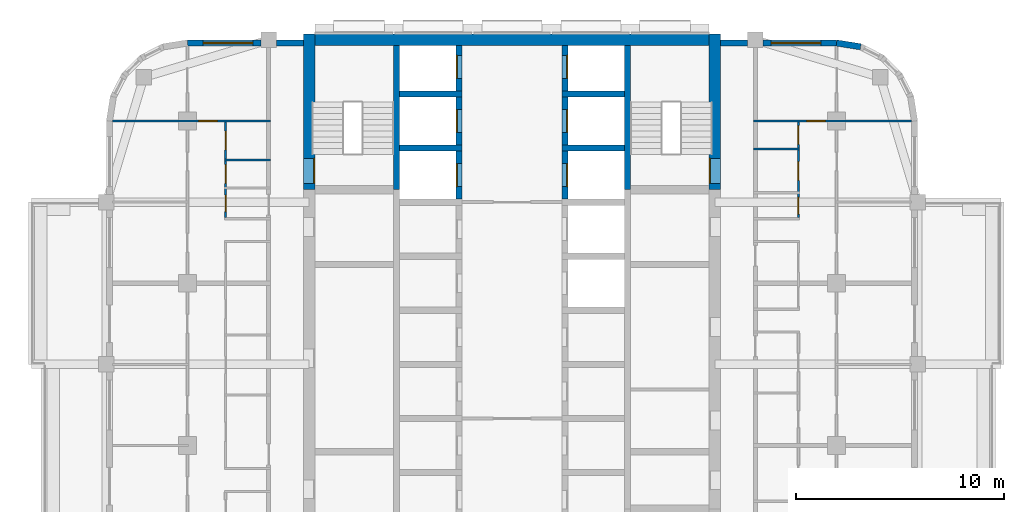
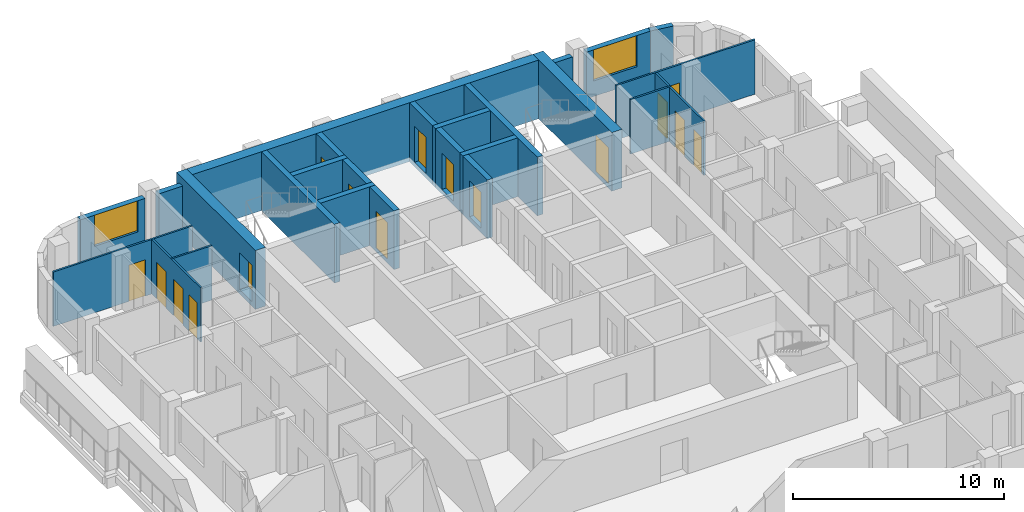
# One storey, part 8 of 13: 26 walls, 16 doors, 2 windows, 18 openings.
"""IFC4 building model written with IfcOpenShell, lengths in metres."""

from ifc_helpers import new_model, si_unit, direction, frame, frame_2d, origin, place, context, subcontext, project, spatial, rectangle, extrude, material, layer, layer_set, type_object, element, fill, save


model = new_model("IFC4")

# Units and contexts
model_context = context("Model", 3, precision=1e-05, world=origin(), true_north=direction((0.0, 1.0)))
body_context = subcontext(model_context, "Body", "Model", "MODEL_VIEW")
ifc_project = project(units=[si_unit("LENGTHUNIT", "METRE"), si_unit("AREAUNIT", "SQUARE_METRE"), si_unit("VOLUMEUNIT", "CUBIC_METRE"), si_unit("PLANEANGLEUNIT", "RADIAN"), si_unit("MASSUNIT", "GRAM", prefix="KILO")], contexts=[model_context])

# Site, building, storey
site_placement = place(None, origin())
site = spatial("IfcSite", under=ifc_project, at=site_placement, CompositionType="ELEMENT")
building_placement = place(site_placement, origin())
building = spatial("IfcBuilding", under=site, at=building_placement, Name="Ludao Terraces", CompositionType="ELEMENT")
storey_placement = place(building_placement, frame((0.0, 0.0, 155.39990234375)))
storey = spatial("IfcBuildingStorey", under=building, at=storey_placement, Name="L42", CompositionType="ELEMENT", Elevation=155.39990234375)

# Wall, opening, door
ifc_material_1 = material(Name="Concrete C60", Category="concrete")
ifc_layer_1 = layer(ifc_material_1, 0.550048828125)
ifc_layer_set_1 = layer_set([ifc_layer_1], Name="Core wall 550 C60")
wall_type_1 = type_object("IfcWallType", Name="Core wall 550 C60", PredefinedType="SOLIDWALL", material=ifc_layer_set_1)
wall_1_placement = place(storey_placement, frame((75.25, 77.300048828125, -0.25), z_axis=(0.0, 0.0, 1.0), x_axis=(0.0, 1.0, 0.0)))
wall_1 = element("IfcWall", 1, at=wall_1_placement, inside=storey, type_object=wall_type_1, Name="Core wall L42 outer-W-S1", PredefinedType="SOLIDWALL", context=body_context, shape_type="SweptSolid", body=[
    extrude(rectangle(XDim=7.474853515625, YDim=0.550048828125, at=frame_2d((3.7373046875, 0.0))), origin(), (0.0, 0.0, 1.0), 3.400146484375),
])
opening_1_placement = place(wall_1_placement, frame((0.300048828125, 0.0, 0.25)))
opening_1 = element("IfcOpeningElement", 2, at=opening_1_placement, cuts=wall_1, Name="Opening R14-078", PredefinedType="OPENING", context=body_context, shape_type="SweptSolid", body=[
    extrude(rectangle(XDim=1.199951171875, YDim=2.10009765625, at=frame_2d((0.60009765625, 1.050048828125))), frame((0.0, 0.28515625, 0.0), z_axis=(0.0, -1.0, 0.0), x_axis=(1.0, 0.0, 0.0)), (0.0, 0.0, 1.0), 0.570068359375),
])
ifc_material_2 = material(Name="Steel Q235", Category="steel")
door_type_1 = type_object("IfcDoorType", Name="INT Stair door 1200", OperationType="DOUBLE_DOOR_SINGLE_SWING", PredefinedType="DOOR", material=ifc_material_2)
door_1_placement = place(opening_1_placement, origin())
door_1 = element("IfcDoor", 3, at=door_1_placement, inside=storey, type_object=door_type_1, Name="DOOR 078", OperationType="DOUBLE_DOOR_SINGLE_SWING", OverallHeight=2.10009765625, OverallWidth=1.199951171875, PredefinedType="DOOR", context=body_context, shape_type="SweptSolid", body=[
    extrude(rectangle(XDim=1.199951171875, YDim=2.10009765625, at=frame_2d((0.60009765625, 1.050048828125))), frame((0.0, -0.2099609375, 0.0), z_axis=(0.0, -1.0, 0.0), x_axis=(1.0, 0.0, 0.0)), (0.0, 0.0, 1.0), 0.050048828125),
])
fill(opening_1, door_1)

wall_2_placement = place(storey_placement, frame((94.75, 77.300048828125, -0.25), z_axis=(0.0, 0.0, 1.0), x_axis=(0.0, 1.0, 0.0)))
wall_2 = element("IfcWall", 4, at=wall_2_placement, inside=storey, type_object=wall_type_1, Name="Core wall L42 outer-E-S2", PredefinedType="SOLIDWALL", context=body_context, shape_type="SweptSolid", body=[
    extrude(rectangle(XDim=7.474853515625, YDim=0.550048828125, at=frame_2d((3.7373046875, 0.0))), origin(), (0.0, 0.0, 1.0), 3.400146484375),
])
opening_2_placement = place(wall_2_placement, frame((0.300048828125, 0.0, 0.25)))
opening_2 = element("IfcOpeningElement", 5, at=opening_2_placement, cuts=wall_2, Name="Opening R14-079", PredefinedType="OPENING", context=body_context, shape_type="SweptSolid", body=[
    extrude(rectangle(XDim=1.199951171875, YDim=2.10009765625, at=frame_2d((0.60009765625, 1.050048828125))), frame((0.0, 0.28515625, 0.0), z_axis=(0.0, -1.0, 0.0), x_axis=(1.0, 0.0, 0.0)), (0.0, 0.0, 1.0), 0.570068359375),
])
door_2_placement = place(opening_2_placement, origin())
door_2 = element("IfcDoor", 6, at=door_2_placement, inside=storey, type_object=door_type_1, Name="DOOR 079", OperationType="DOUBLE_DOOR_SINGLE_SWING", OverallHeight=2.10009765625, OverallWidth=1.199951171875, PredefinedType="DOOR", context=body_context, shape_type="SweptSolid", body=[
    extrude(rectangle(XDim=1.199951171875, YDim=2.10009765625, at=frame_2d((0.60009765625, 1.050048828125))), frame((0.0, 0.26025390625, 0.0), z_axis=(0.0, -1.0, 0.0), x_axis=(1.0, 0.0, 0.0)), (0.0, 0.0, 1.0), 0.050048828125),
])
fill(opening_2, door_2)

# Wall
wall_3_placement = place(storey_placement, frame((75.52490234375, 84.5, -0.25), z_axis=(0.0, 0.0, 1.0), x_axis=(1.0, 0.0, 0.0)))
element("IfcWall", 7, at=wall_3_placement, inside=storey, type_object=wall_type_1, Name="Core wall L42 outer-N", PredefinedType="SOLIDWALL", context=body_context, shape_type="SweptSolid", body=[
    extrude(rectangle(XDim=18.9501953125, YDim=0.550048828125, at=frame_2d((9.47509765625, 0.0))), origin(), (0.0, 0.0, 1.0), 3.400146484375),
])

# Wall, opening, window
ifc_material_3 = material(Name="Granite cladding", Category="masonry")
ifc_layer_2 = layer(ifc_material_3, 0.0400390625, Category="stone")
ifc_material_4 = material(Name="Mineral wool")
ifc_layer_3 = layer(ifc_material_4, 0.06005859375)
ifc_material_5 = material(Name="Concrete C40", Category="concrete")
ifc_layer_4 = layer(ifc_material_5, 0.199951171875, Category="concrete")
ifc_layer_set_2 = layer_set([ifc_layer_2, ifc_layer_3, ifc_layer_4], Name="ENV Stone-clad wall 300")
wall_type_2 = type_object("IfcWallType", Name="ENV Stone-clad wall 300", PredefinedType="SOLIDWALL", material=ifc_layer_set_2)
wall_4_placement = place(storey_placement, frame((69.39990234375, 84.35009765625, 0.0), z_axis=(0.0, 0.0, 1.0), x_axis=(1.0, 0.0, 0.0)))
wall_4 = element("IfcWall", 8, at=wall_4_placement, inside=storey, type_object=wall_type_2, Name="EW-L42-N1", PredefinedType="SOLIDWALL", context=body_context, shape_type="SweptSolid", body=[
    extrude(rectangle(XDim=3.525146484375, YDim=0.300048828125, at=frame_2d((1.7626953125, 0.0))), origin(), (0.0, 0.0, 1.0), 2.7001953125),
])
opening_3_placement = place(wall_4_placement, frame((0.75, 0.0, 0.89990234375)))
opening_3 = element("IfcOpeningElement", 9, at=opening_3_placement, cuts=wall_4, Name="Opening W1", PredefinedType="OPENING", context=body_context, shape_type="SweptSolid", body=[
    extrude(rectangle(XDim=2.39990234375, YDim=1.800048828125, at=frame_2d((1.199951171875, 0.89990234375))), frame((0.0, 0.16015625, 0.0), z_axis=(0.0, -1.0, 0.0), x_axis=(1.0, 0.0, 0.0)), (0.0, 0.0, 1.0), 0.320068359375),
])
ifc_material_6 = material(Name="Clear glass in aluminium frame", Category="aluminium")
ifc_layer_5 = layer(ifc_material_6, 0.06005859375)
ifc_layer_set_3 = layer_set([ifc_layer_5], Name="ENV Window W1 2400x1800")
window_type = type_object("IfcWindowType", Name="ENV Window W1 2400x1800", PartitioningType="DOUBLE_PANEL_VERTICAL", PredefinedType="WINDOW", material=ifc_layer_set_3)
window_1_placement = place(opening_3_placement, origin())
window_1 = element("IfcWindow", 10, at=window_1_placement, inside=storey, type_object=window_type, Name="W-L42-N1-1", OverallHeight=1.800048828125, OverallWidth=2.39990234375, PartitioningType="DOUBLE_PANEL_VERTICAL", PredefinedType="WINDOW", context=body_context, shape_type="SweptSolid", body=[
    extrude(rectangle(XDim=2.39990234375, YDim=1.800048828125, at=frame_2d((1.199951171875, 0.89990234375))), frame((0.0, 0.030029296875, 0.0), z_axis=(0.0, -1.0, 0.0), x_axis=(1.0, 0.0, 0.0)), (0.0, 0.0, 1.0), 0.06005859375),
])
fill(opening_3, window_1)

# Walls
for number, where, z_axis, x_axis, name in (
    (11, (73.675048828125, 84.35009765625, 0.0), (0.0, 0.0, 1.0), (1.0, 0.0, 0.0), "EW-L42-N2"),
    (12, (95.02490234375, 84.35009765625, 0.0), (0.0, 0.0, 1.0), (1.0, 0.0, 0.0), "EW-L42-N3"),
):
    element("IfcWall", number, at=place(storey_placement, frame(where, z_axis=z_axis, x_axis=x_axis)), inside=storey, type_object=wall_type_2, Name=name, PredefinedType="SOLIDWALL", context=body_context, shape_type="SweptSolid", body=[
        extrude(rectangle(XDim=1.300048828125, YDim=0.300048828125, at=frame_2d((0.64990234375, 0.0))), origin(), (0.0, 0.0, 1.0), 2.7001953125),
    ])

# Wall, opening, window
wall_5_placement = place(storey_placement, frame((97.074951171875, 84.35009765625, 0.0), z_axis=(0.0, 0.0, 1.0), x_axis=(1.0, 0.0, 0.0)))
wall_5 = element("IfcWall", 13, at=wall_5_placement, inside=storey, type_object=wall_type_2, Name="EW-L42-N4", PredefinedType="SOLIDWALL", context=body_context, shape_type="SweptSolid", body=[
    extrude(rectangle(XDim=3.525146484375, YDim=0.300048828125, at=frame_2d((1.7626953125, 0.0))), origin(), (0.0, 0.0, 1.0), 2.7001953125),
])
opening_4_placement = place(wall_5_placement, frame((0.375, 0.0, 0.89990234375)))
opening_4 = element("IfcOpeningElement", 14, at=opening_4_placement, cuts=wall_5, Name="Opening W1", PredefinedType="OPENING", context=body_context, shape_type="SweptSolid", body=[
    extrude(rectangle(XDim=2.39990234375, YDim=1.800048828125, at=frame_2d((1.199951171875, 0.89990234375))), frame((0.0, 0.16015625, 0.0), z_axis=(0.0, -1.0, 0.0), x_axis=(1.0, 0.0, 0.0)), (0.0, 0.0, 1.0), 0.320068359375),
])
window_2_placement = place(opening_4_placement, origin())
window_2 = element("IfcWindow", 15, at=window_2_placement, inside=storey, type_object=window_type, Name="W-L42-N4-1", OverallHeight=1.800048828125, OverallWidth=2.39990234375, PartitioningType="DOUBLE_PANEL_VERTICAL", PredefinedType="WINDOW", context=body_context, shape_type="SweptSolid", body=[
    extrude(rectangle(XDim=2.39990234375, YDim=1.800048828125, at=frame_2d((1.199951171875, 0.89990234375))), frame((0.0, 0.030029296875, 0.0), z_axis=(0.0, -1.0, 0.0), x_axis=(1.0, 0.0, 0.0)), (0.0, 0.0, 1.0), 0.06005859375),
])
fill(opening_4, window_2)

# Walls
wall_6_placement = place(storey_placement, frame((101.7587890625, 84.16650390625, 0.0), z_axis=(0.0, 0.0, 1.0), x_axis=(-0.987678452879, 0.156496880861, 0.0)))
element("IfcWall", 16, at=wall_6_placement, inside=storey, type_object=wall_type_2, Name="EW-L42-NE5", PredefinedType="SOLIDWALL", context=body_context, shape_type="SweptSolid", body=[
    extrude(rectangle(XDim=1.173095703125, YDim=0.300048828125, at=frame_2d((0.58642578125, 0.0))), origin(), (0.0, 0.0, 1.0), 2.7001953125),
])
ifc_material_7 = material(Name="Gypsum plasterboard", Category="gypsum")
ifc_layer_6 = layer(ifc_material_7, 0.012451171875, Category="gypsum")
ifc_layer_7 = layer(ifc_material_4, 0.06005859375, Name="insulation")
ifc_layer_8 = layer(ifc_material_2, 0.014892578125, Name="stud")
ifc_layer_9 = layer(ifc_material_7, 0.012451171875, Category="gypsum")
ifc_layer_set_4 = layer_set([ifc_layer_6, ifc_layer_7, ifc_layer_8, ifc_layer_9], Name="INT Partition 100")
wall_type_3 = type_object("IfcWallType", Name="INT Partition 100", PredefinedType="PARTITIONING", material=ifc_layer_set_4)
for number, where, z_axis, x_axis, name in (
    (17, (71.18017578125, 78.72998046875, 0.0), (0.0, 0.0, 1.0), (1.0, 0.0, 0.0), "PW-L42-PW044"),
    (18, (96.60009765625, 79.25, 0.0), (0.0, 0.0, 1.0), (1.0, 0.0, 0.0), "PW-L42-PW045"),
):
    element("IfcWall", number, at=place(storey_placement, frame(where, z_axis=z_axis, x_axis=x_axis)), inside=storey, type_object=wall_type_3, Name=name, PredefinedType="PARTITIONING", context=body_context, shape_type="SweptSolid", body=[
        extrude(rectangle(XDim=2.219970703125, YDim=0.10009765625, at=frame_2d((1.10986328125, 0.0))), origin(), (0.0, 0.0, 1.0), 3.150146484375),
    ])

# Wall, opening, door
wall_7_placement = place(storey_placement, frame((65.800048828125, 80.60009765625, 0.0), z_axis=(0.0, 0.0, 1.0), x_axis=(1.0, 0.0, 0.0)))
wall_7 = element("IfcWall", 19, at=wall_7_placement, inside=storey, type_object=wall_type_3, Name="PW-L42-PW046", PredefinedType="PARTITIONING", context=body_context, shape_type="SweptSolid", body=[
    extrude(rectangle(XDim=7.60009765625, YDim=0.10009765625, at=frame_2d((3.800048828125, 0.0))), origin(), (0.0, 0.0, 1.0), 3.150146484375),
])
opening_5_placement = place(wall_7_placement, frame((4.139892578125, 0.0, 0.0)))
opening_5 = element("IfcOpeningElement", 20, at=opening_5_placement, cuts=wall_7, Name="Opening R14-085", PredefinedType="OPENING", context=body_context, shape_type="SweptSolid", body=[
    extrude(rectangle(XDim=0.89990234375, YDim=2.10009765625, at=frame_2d((0.449951171875, 1.050048828125))), frame((0.0, 0.06005859375, 0.0), z_axis=(0.0, -1.0, 0.0), x_axis=(1.0, 0.0, 0.0)), (0.0, 0.0, 1.0), 0.1201171875),
])
ifc_material_8 = material(Name="Timber door leaf", Category="wood")
door_type_2 = type_object("IfcDoorType", Name="INT Room door 900", OperationType="SINGLE_SWING_LEFT", PredefinedType="DOOR", material=ifc_material_8)
door_3_placement = place(opening_5_placement, origin())
door_3 = element("IfcDoor", 21, at=door_3_placement, inside=storey, type_object=door_type_2, Name="DOOR 085", OperationType="SINGLE_SWING_LEFT", OverallHeight=2.10009765625, OverallWidth=0.89990234375, PredefinedType="DOOR", context=body_context, shape_type="SweptSolid", body=[
    extrude(rectangle(XDim=0.89990234375, YDim=2.10009765625, at=frame_2d((0.449951171875, 1.050048828125))), frame((0.0, 0.02490234375, 0.0), z_axis=(0.0, -1.0, 0.0), x_axis=(1.0, 0.0, 0.0)), (0.0, 0.0, 1.0), 0.050048828125),
])
fill(opening_5, door_3)

wall_8_placement = place(storey_placement, frame((96.60009765625, 80.60009765625, 0.0), z_axis=(0.0, 0.0, 1.0), x_axis=(1.0, 0.0, 0.0)))
wall_8 = element("IfcWall", 22, at=wall_8_placement, inside=storey, type_object=wall_type_3, Name="PW-L42-PW047", PredefinedType="PARTITIONING", context=body_context, shape_type="SweptSolid", body=[
    extrude(rectangle(XDim=7.60009765625, YDim=0.10009765625, at=frame_2d((3.800048828125, 0.0))), origin(), (0.0, 0.0, 1.0), 3.150146484375),
])
opening_6_placement = place(wall_8_placement, frame((2.56005859375, 0.0, 0.0)))
opening_6 = element("IfcOpeningElement", 23, at=opening_6_placement, cuts=wall_8, Name="Opening R14-088", PredefinedType="OPENING", context=body_context, shape_type="SweptSolid", body=[
    extrude(rectangle(XDim=0.89990234375, YDim=2.10009765625, at=frame_2d((0.449951171875, 1.050048828125))), frame((0.0, 0.06005859375, 0.0), z_axis=(0.0, -1.0, 0.0), x_axis=(1.0, 0.0, 0.0)), (0.0, 0.0, 1.0), 0.1201171875),
])
door_4_placement = place(opening_6_placement, origin())
door_4 = element("IfcDoor", 24, at=door_4_placement, inside=storey, type_object=door_type_2, Name="DOOR 088", OperationType="SINGLE_SWING_RIGHT", OverallHeight=2.10009765625, OverallWidth=0.89990234375, PredefinedType="DOOR", context=body_context, shape_type="SweptSolid", body=[
    extrude(rectangle(XDim=0.89990234375, YDim=2.10009765625, at=frame_2d((0.449951171875, 1.050048828125))), frame((0.0, 0.02490234375, 0.0), z_axis=(0.0, -1.0, 0.0), x_axis=(1.0, 0.0, 0.0)), (0.0, 0.0, 1.0), 0.050048828125),
])
fill(opening_6, door_4)

# Wall, openings, doors
wall_9_placement = place(storey_placement, frame((71.22998046875, 75.9501953125, 0.0), z_axis=(0.0, 0.0, 1.0), x_axis=(0.0, 1.0, 0.0)))
wall_9 = element("IfcWall", 25, at=wall_9_placement, inside=storey, type_object=wall_type_3, Name="PW-L42-PW052", PredefinedType="PARTITIONING", context=body_context, shape_type="SweptSolid", body=[
    extrude(rectangle(XDim=4.599853515625, YDim=0.10009765625, at=frame_2d((2.2998046875, 0.0))), origin(), (0.0, 0.0, 1.0), 3.150146484375),
])
opening_7_placement = place(wall_9_placement, frame((0.289794921875, 0.0, 0.0)))
opening_7 = element("IfcOpeningElement", 26, at=opening_7_placement, cuts=wall_9, Name="Opening R14-073", PredefinedType="OPENING", context=body_context, shape_type="SweptSolid", body=[
    extrude(rectangle(XDim=0.800048828125, YDim=2.10009765625, at=frame_2d((0.39990234375, 1.050048828125))), frame((0.0, 0.06005859375, 0.0), z_axis=(0.0, -1.0, 0.0), x_axis=(1.0, 0.0, 0.0)), (0.0, 0.0, 1.0), 0.1201171875),
])
opening_8_placement = place(wall_9_placement, frame((1.65478515625, 0.0, 0.0)))
opening_8 = element("IfcOpeningElement", 27, at=opening_8_placement, cuts=wall_9, Name="Opening R14-077", PredefinedType="OPENING", context=body_context, shape_type="SweptSolid", body=[
    extrude(rectangle(XDim=0.89990234375, YDim=2.10009765625, at=frame_2d((0.449951171875, 1.050048828125))), frame((0.0, 0.06005859375, 0.0), z_axis=(0.0, -1.0, 0.0), x_axis=(1.0, 0.0, 0.0)), (0.0, 0.0, 1.0), 0.1201171875),
])
opening_9_placement = place(wall_9_placement, frame((3.264892578125, 0.0, 0.0)))
opening_9 = element("IfcOpeningElement", 28, at=opening_9_placement, cuts=wall_9, Name="Opening R14-083", PredefinedType="OPENING", context=body_context, shape_type="SweptSolid", body=[
    extrude(rectangle(XDim=0.89990234375, YDim=2.10009765625, at=frame_2d((0.449951171875, 1.050048828125))), frame((0.0, 0.06005859375, 0.0), z_axis=(0.0, -1.0, 0.0), x_axis=(1.0, 0.0, 0.0)), (0.0, 0.0, 1.0), 0.1201171875),
])
door_type_3 = type_object("IfcDoorType", Name="INT Bathroom door 900", OperationType="SINGLE_SWING_LEFT", PredefinedType="DOOR", material=ifc_material_8)
door_5_placement = place(opening_8_placement, origin())
door_5 = element("IfcDoor", 29, at=door_5_placement, inside=storey, type_object=door_type_3, Name="DOOR 077", OperationType="SINGLE_SWING_RIGHT", OverallHeight=2.10009765625, OverallWidth=0.89990234375, PredefinedType="DOOR", context=body_context, shape_type="SweptSolid", body=[
    extrude(rectangle(XDim=0.89990234375, YDim=2.10009765625, at=frame_2d((0.449951171875, 1.050048828125))), frame((0.0, 0.02490234375, 0.0), z_axis=(0.0, -1.0, 0.0), x_axis=(1.0, 0.0, 0.0)), (0.0, 0.0, 1.0), 0.050048828125),
])
fill(opening_8, door_5)
door_6_placement = place(opening_9_placement, origin())
door_6 = element("IfcDoor", 30, at=door_6_placement, inside=storey, type_object=door_type_2, Name="DOOR 083", OperationType="SINGLE_SWING_LEFT", OverallHeight=2.10009765625, OverallWidth=0.89990234375, PredefinedType="DOOR", context=body_context, shape_type="SweptSolid", body=[
    extrude(rectangle(XDim=0.89990234375, YDim=2.10009765625, at=frame_2d((0.449951171875, 1.050048828125))), frame((0.0, 0.02490234375, 0.0), z_axis=(0.0, -1.0, 0.0), x_axis=(1.0, 0.0, 0.0)), (0.0, 0.0, 1.0), 0.050048828125),
])
fill(opening_9, door_6)
door_type_4 = type_object("IfcDoorType", Name="INT Store door 800", OperationType="SINGLE_SWING_LEFT", PredefinedType="DOOR", material=ifc_material_8)
door_7_placement = place(opening_7_placement, origin())
door_7 = element("IfcDoor", 31, at=door_7_placement, inside=storey, type_object=door_type_4, Name="DOOR 073", OperationType="SINGLE_SWING_RIGHT", OverallHeight=2.10009765625, OverallWidth=0.800048828125, PredefinedType="DOOR", context=body_context, shape_type="SweptSolid", body=[
    extrude(rectangle(XDim=0.800048828125, YDim=2.10009765625, at=frame_2d((0.39990234375, 1.050048828125))), frame((0.0, 0.02490234375, 0.0), z_axis=(0.0, -1.0, 0.0), x_axis=(1.0, 0.0, 0.0)), (0.0, 0.0, 1.0), 0.050048828125),
])
fill(opening_7, door_7)

wall_10_placement = place(storey_placement, frame((98.77001953125, 75.9501953125, 0.0), z_axis=(0.0, 0.0, 1.0), x_axis=(0.0, 1.0, 0.0)))
wall_10 = element("IfcWall", 32, at=wall_10_placement, inside=storey, type_object=wall_type_3, Name="PW-L42-PW063", PredefinedType="PARTITIONING", context=body_context, shape_type="SweptSolid", body=[
    extrude(rectangle(XDim=4.599853515625, YDim=0.10009765625, at=frame_2d((2.2998046875, 0.0))), origin(), (0.0, 0.0, 1.0), 3.150146484375),
])
opening_10_placement = place(wall_10_placement, frame((0.1748046875, 0.0, 0.0)))
opening_10 = element("IfcOpeningElement", 33, at=opening_10_placement, cuts=wall_10, Name="Opening R14-071", PredefinedType="OPENING", context=body_context, shape_type="SweptSolid", body=[
    extrude(rectangle(XDim=0.800048828125, YDim=2.10009765625, at=frame_2d((0.39990234375, 1.050048828125))), frame((0.0, 0.06005859375, 0.0), z_axis=(0.0, -1.0, 0.0), x_axis=(1.0, 0.0, 0.0)), (0.0, 0.0, 1.0), 0.1201171875),
])
opening_11_placement = place(wall_10_placement, frame((1.7998046875, 0.0, 0.0)))
opening_11 = element("IfcOpeningElement", 34, at=opening_11_placement, cuts=wall_10, Name="Opening R14-080", PredefinedType="OPENING", context=body_context, shape_type="SweptSolid", body=[
    extrude(rectangle(XDim=0.89990234375, YDim=2.10009765625, at=frame_2d((0.449951171875, 1.050048828125))), frame((0.0, 0.06005859375, 0.0), z_axis=(0.0, -1.0, 0.0), x_axis=(1.0, 0.0, 0.0)), (0.0, 0.0, 1.0), 0.1201171875),
])
opening_12_placement = place(wall_10_placement, frame((3.52490234375, 0.0, 0.0)))
opening_12 = element("IfcOpeningElement", 35, at=opening_12_placement, cuts=wall_10, Name="Opening R14-084", PredefinedType="OPENING", context=body_context, shape_type="SweptSolid", body=[
    extrude(rectangle(XDim=0.89990234375, YDim=2.10009765625, at=frame_2d((0.449951171875, 1.050048828125))), frame((0.0, 0.06005859375, 0.0), z_axis=(0.0, -1.0, 0.0), x_axis=(1.0, 0.0, 0.0)), (0.0, 0.0, 1.0), 0.1201171875),
])
door_8_placement = place(opening_12_placement, origin())
door_8 = element("IfcDoor", 36, at=door_8_placement, inside=storey, type_object=door_type_3, Name="DOOR 084", OperationType="SINGLE_SWING_RIGHT", OverallHeight=2.10009765625, OverallWidth=0.89990234375, PredefinedType="DOOR", context=body_context, shape_type="SweptSolid", body=[
    extrude(rectangle(XDim=0.89990234375, YDim=2.10009765625, at=frame_2d((0.449951171875, 1.050048828125))), frame((0.0, 0.02490234375, 0.0), z_axis=(0.0, -1.0, 0.0), x_axis=(1.0, 0.0, 0.0)), (0.0, 0.0, 1.0), 0.050048828125),
])
fill(opening_12, door_8)
door_9_placement = place(opening_11_placement, origin())
door_9 = element("IfcDoor", 37, at=door_9_placement, inside=storey, type_object=door_type_2, Name="DOOR 080", OperationType="SINGLE_SWING_LEFT", OverallHeight=2.10009765625, OverallWidth=0.89990234375, PredefinedType="DOOR", context=body_context, shape_type="SweptSolid", body=[
    extrude(rectangle(XDim=0.89990234375, YDim=2.10009765625, at=frame_2d((0.449951171875, 1.050048828125))), frame((0.0, 0.02490234375, 0.0), z_axis=(0.0, -1.0, 0.0), x_axis=(1.0, 0.0, 0.0)), (0.0, 0.0, 1.0), 0.050048828125),
])
fill(opening_11, door_9)
door_10_placement = place(opening_10_placement, origin())
door_10 = element("IfcDoor", 38, at=door_10_placement, inside=storey, type_object=door_type_4, Name="DOOR 071", OperationType="SINGLE_SWING_LEFT", OverallHeight=2.10009765625, OverallWidth=0.800048828125, PredefinedType="DOOR", context=body_context, shape_type="SweptSolid", body=[
    extrude(rectangle(XDim=0.800048828125, YDim=2.10009765625, at=frame_2d((0.39990234375, 1.050048828125))), frame((0.0, 0.02490234375, 0.0), z_axis=(0.0, -1.0, 0.0), x_axis=(1.0, 0.0, 0.0)), (0.0, 0.0, 1.0), 0.050048828125),
])
fill(opening_10, door_10)

# Walls
ifc_material_9 = material(Name="Concrete C55", Category="concrete")
ifc_layer_10 = layer(ifc_material_9, 0.300048828125)
ifc_layer_set_5 = layer_set([ifc_layer_10], Name="Shaft wall 300 C55")
wall_type_4 = type_object("IfcWallType", Name="Shaft wall 300 C55", PredefinedType="SOLIDWALL", material=ifc_layer_set_5)
for number, where, z_axis, x_axis, name in (
    (39, (79.449951171875, 77.300048828125, -0.25), (0.0, 0.0, 1.0), (0.0, 1.0, 0.0), "Core wall L42 back-W-S1"),
    (40, (90.550048828125, 77.300048828125, -0.25), (0.0, 0.0, 1.0), (0.0, 1.0, 0.0), "Core wall L42 back-E-S2"),
):
    element("IfcWall", number, at=place(storey_placement, frame(where, z_axis=z_axis, x_axis=x_axis)), inside=storey, type_object=wall_type_4, Name=name, PredefinedType="SOLIDWALL", context=body_context, shape_type="SweptSolid", body=[
        extrude(rectangle(XDim=6.925048828125, YDim=0.300048828125, at=frame_2d((3.46240234375, 0.0))), origin(), (0.0, 0.0, 1.0), 3.400146484375),
    ])

# Wall, opening, door
wall_11_placement = place(storey_placement, frame((82.449951171875, 76.85009765625, -0.25), z_axis=(0.0, 0.0, 1.0), x_axis=(0.0, 1.0, 0.0)))
wall_11 = element("IfcWall", 41, at=wall_11_placement, inside=storey, type_object=wall_type_4, Name="Core wall L42 front-W7", PredefinedType="SOLIDWALL", context=body_context, shape_type="SweptSolid", body=[
    extrude(rectangle(XDim=2.2998046875, YDim=0.300048828125, at=frame_2d((1.14990234375, 0.0))), origin(), (0.0, 0.0, 1.0), 3.400146484375),
])
opening_13_placement = place(wall_11_placement, frame((0.60009765625, 0.0, 0.25)))
opening_13 = element("IfcOpeningElement", 42, at=opening_13_placement, cuts=wall_11, Name="Opening LD-FF1", PredefinedType="OPENING", context=body_context, shape_type="SweptSolid", body=[
    extrude(rectangle(XDim=1.10009765625, YDim=2.10009765625, at=frame_2d((0.550048828125, 1.050048828125))), frame((0.0, 0.16015625, 0.0), z_axis=(0.0, -1.0, 0.0), x_axis=(1.0, 0.0, 0.0)), (0.0, 0.0, 1.0), 0.320068359375),
])
ifc_material_10 = material(Name="Stainless steel 304", Category="steel")
door_type_5 = type_object("IfcDoorType", Name="INT Lift landing door 1100", OperationType="SLIDING_TO_LEFT", PredefinedType="DOOR", material=ifc_material_10)
door_11_placement = place(opening_13_placement, origin())
door_11 = element("IfcDoor", 43, at=door_11_placement, inside=storey, type_object=door_type_5, Name="LANDING DOOR FF1 L42", OperationType="SLIDING_TO_LEFT", OverallHeight=2.10009765625, OverallWidth=1.10009765625, PredefinedType="DOOR", context=body_context, shape_type="SweptSolid", body=[
    extrude(rectangle(XDim=1.10009765625, YDim=2.10009765625, at=frame_2d((0.550048828125, 1.050048828125))), frame((0.0, 0.13525390625, 0.0), z_axis=(0.0, -1.0, 0.0), x_axis=(1.0, 0.0, 0.0)), (0.0, 0.0, 1.0), 0.050048828125),
])
fill(opening_13, door_11)

# Wall
wall_12_placement = place(storey_placement, frame((79.60009765625, 79.300048828125, -0.25), z_axis=(0.0, 0.0, 1.0), x_axis=(1.0, 0.0, 0.0)))
element("IfcWall", 44, at=wall_12_placement, inside=storey, type_object=wall_type_4, Name="Core wall L42 div-W8", PredefinedType="SOLIDWALL", context=body_context, shape_type="SweptSolid", body=[
    extrude(rectangle(XDim=3.0, YDim=0.300048828125, at=frame_2d((1.5, 0.0))), origin(), (0.0, 0.0, 1.0), 3.400146484375),
])

# Wall, opening, door
wall_13_placement = place(storey_placement, frame((82.449951171875, 79.449951171875, -0.25), z_axis=(0.0, 0.0, 1.0), x_axis=(0.0, 1.0, 0.0)))
wall_13 = element("IfcWall", 45, at=wall_13_placement, inside=storey, type_object=wall_type_4, Name="Core wall L42 front-W8", PredefinedType="SOLIDWALL", context=body_context, shape_type="SweptSolid", body=[
    extrude(rectangle(XDim=2.300048828125, YDim=0.300048828125, at=frame_2d((1.14990234375, 0.0))), origin(), (0.0, 0.0, 1.0), 3.400146484375),
])
opening_14_placement = place(wall_13_placement, frame((0.60009765625, 0.0, 0.25)))
opening_14 = element("IfcOpeningElement", 46, at=opening_14_placement, cuts=wall_13, Name="Opening LD-FF2", PredefinedType="OPENING", context=body_context, shape_type="SweptSolid", body=[
    extrude(rectangle(XDim=1.10009765625, YDim=2.10009765625, at=frame_2d((0.550048828125, 1.050048828125))), frame((0.0, 0.16015625, 0.0), z_axis=(0.0, -1.0, 0.0), x_axis=(1.0, 0.0, 0.0)), (0.0, 0.0, 1.0), 0.320068359375),
])
door_12_placement = place(opening_14_placement, origin())
door_12 = element("IfcDoor", 47, at=door_12_placement, inside=storey, type_object=door_type_5, Name="LANDING DOOR FF2 L42", OperationType="SLIDING_TO_LEFT", OverallHeight=2.10009765625, OverallWidth=1.10009765625, PredefinedType="DOOR", context=body_context, shape_type="SweptSolid", body=[
    extrude(rectangle(XDim=1.10009765625, YDim=2.10009765625, at=frame_2d((0.550048828125, 1.050048828125))), frame((0.0, 0.13525390625, 0.0), z_axis=(0.0, -1.0, 0.0), x_axis=(1.0, 0.0, 0.0)), (0.0, 0.0, 1.0), 0.050048828125),
])
fill(opening_14, door_12)

# Wall
wall_14_placement = place(storey_placement, frame((79.60009765625, 81.89990234375, -0.25), z_axis=(0.0, 0.0, 1.0), x_axis=(1.0, 0.0, 0.0)))
element("IfcWall", 48, at=wall_14_placement, inside=storey, type_object=wall_type_4, Name="Core wall L42 div-W9", PredefinedType="SOLIDWALL", context=body_context, shape_type="SweptSolid", body=[
    extrude(rectangle(XDim=3.0, YDim=0.300048828125, at=frame_2d((1.5, 0.0))), origin(), (0.0, 0.0, 1.0), 3.400146484375),
])

# Wall, opening, door
wall_15_placement = place(storey_placement, frame((82.449951171875, 82.050048828125, -0.25), z_axis=(0.0, 0.0, 1.0), x_axis=(0.0, 1.0, 0.0)))
wall_15 = element("IfcWall", 49, at=wall_15_placement, inside=storey, type_object=wall_type_4, Name="Core wall L42 front-W9", PredefinedType="SOLIDWALL", context=body_context, shape_type="SweptSolid", body=[
    extrude(rectangle(XDim=2.175048828125, YDim=0.300048828125, at=frame_2d((1.08740234375, 0.0))), origin(), (0.0, 0.0, 1.0), 3.400146484375),
])
opening_15_placement = place(wall_15_placement, frame((0.60009765625, 0.0, 0.25)))
opening_15 = element("IfcOpeningElement", 50, at=opening_15_placement, cuts=wall_15, Name="Opening LD-LB6", PredefinedType="OPENING", context=body_context, shape_type="SweptSolid", body=[
    extrude(rectangle(XDim=1.10009765625, YDim=2.10009765625, at=frame_2d((0.550048828125, 1.050048828125))), frame((0.0, 0.16015625, 0.0), z_axis=(0.0, -1.0, 0.0), x_axis=(1.0, 0.0, 0.0)), (0.0, 0.0, 1.0), 0.320068359375),
])
door_13_placement = place(opening_15_placement, origin())
door_13 = element("IfcDoor", 51, at=door_13_placement, inside=storey, type_object=door_type_5, Name="LANDING DOOR LB6 L42", OperationType="SLIDING_TO_RIGHT", OverallHeight=2.10009765625, OverallWidth=1.10009765625, PredefinedType="DOOR", context=body_context, shape_type="SweptSolid", body=[
    extrude(rectangle(XDim=1.10009765625, YDim=2.10009765625, at=frame_2d((0.550048828125, 1.050048828125))), frame((0.0, 0.13525390625, 0.0), z_axis=(0.0, -1.0, 0.0), x_axis=(1.0, 0.0, 0.0)), (0.0, 0.0, 1.0), 0.050048828125),
])
fill(opening_15, door_13)

wall_16_placement = place(storey_placement, frame((87.550048828125, 76.85009765625, -0.25), z_axis=(0.0, 0.0, 1.0), x_axis=(0.0, 1.0, 0.0)))
wall_16 = element("IfcWall", 52, at=wall_16_placement, inside=storey, type_object=wall_type_4, Name="Core wall L42 front-E7", PredefinedType="SOLIDWALL", context=body_context, shape_type="SweptSolid", body=[
    extrude(rectangle(XDim=2.2998046875, YDim=0.300048828125, at=frame_2d((1.14990234375, 0.0))), origin(), (0.0, 0.0, 1.0), 3.400146484375),
])
opening_16_placement = place(wall_16_placement, frame((0.60009765625, 0.0, 0.25)))
opening_16 = element("IfcOpeningElement", 53, at=opening_16_placement, cuts=wall_16, Name="Opening LD-LB3", PredefinedType="OPENING", context=body_context, shape_type="SweptSolid", body=[
    extrude(rectangle(XDim=1.10009765625, YDim=2.10009765625, at=frame_2d((0.550048828125, 1.050048828125))), frame((0.0, 0.16015625, 0.0), z_axis=(0.0, -1.0, 0.0), x_axis=(1.0, 0.0, 0.0)), (0.0, 0.0, 1.0), 0.320068359375),
])
door_14_placement = place(opening_16_placement, origin())
door_14 = element("IfcDoor", 54, at=door_14_placement, inside=storey, type_object=door_type_5, Name="LANDING DOOR LB3 L42", OperationType="SLIDING_TO_LEFT", OverallHeight=2.10009765625, OverallWidth=1.10009765625, PredefinedType="DOOR", context=body_context, shape_type="SweptSolid", body=[
    extrude(rectangle(XDim=1.10009765625, YDim=2.10009765625, at=frame_2d((0.550048828125, 1.050048828125))), frame((0.0, -0.0849609375, 0.0), z_axis=(0.0, -1.0, 0.0), x_axis=(1.0, 0.0, 0.0)), (0.0, 0.0, 1.0), 0.050048828125),
])
fill(opening_16, door_14)

# Wall
wall_17_placement = place(storey_placement, frame((87.39990234375, 79.300048828125, -0.25), z_axis=(0.0, 0.0, 1.0), x_axis=(1.0, 0.0, 0.0)))
element("IfcWall", 55, at=wall_17_placement, inside=storey, type_object=wall_type_4, Name="Core wall L42 div-E8", PredefinedType="SOLIDWALL", context=body_context, shape_type="SweptSolid", body=[
    extrude(rectangle(XDim=3.0, YDim=0.300048828125, at=frame_2d((1.5, 0.0))), origin(), (0.0, 0.0, 1.0), 3.400146484375),
])

# Wall, opening, door
wall_18_placement = place(storey_placement, frame((87.550048828125, 79.449951171875, -0.25), z_axis=(0.0, 0.0, 1.0), x_axis=(0.0, 1.0, 0.0)))
wall_18 = element("IfcWall", 56, at=wall_18_placement, inside=storey, type_object=wall_type_4, Name="Core wall L42 front-E8", PredefinedType="SOLIDWALL", context=body_context, shape_type="SweptSolid", body=[
    extrude(rectangle(XDim=2.300048828125, YDim=0.300048828125, at=frame_2d((1.14990234375, 0.0))), origin(), (0.0, 0.0, 1.0), 3.400146484375),
])
opening_17_placement = place(wall_18_placement, frame((0.60009765625, 0.0, 0.25)))
opening_17 = element("IfcOpeningElement", 57, at=opening_17_placement, cuts=wall_18, Name="Opening LD-LB4", PredefinedType="OPENING", context=body_context, shape_type="SweptSolid", body=[
    extrude(rectangle(XDim=1.10009765625, YDim=2.10009765625, at=frame_2d((0.550048828125, 1.050048828125))), frame((0.0, 0.16015625, 0.0), z_axis=(0.0, -1.0, 0.0), x_axis=(1.0, 0.0, 0.0)), (0.0, 0.0, 1.0), 0.320068359375),
])
door_15_placement = place(opening_17_placement, origin())
door_15 = element("IfcDoor", 58, at=door_15_placement, inside=storey, type_object=door_type_5, Name="LANDING DOOR LB4 L42", OperationType="SLIDING_TO_RIGHT", OverallHeight=2.10009765625, OverallWidth=1.10009765625, PredefinedType="DOOR", context=body_context, shape_type="SweptSolid", body=[
    extrude(rectangle(XDim=1.10009765625, YDim=2.10009765625, at=frame_2d((0.550048828125, 1.050048828125))), frame((0.0, -0.0849609375, 0.0), z_axis=(0.0, -1.0, 0.0), x_axis=(1.0, 0.0, 0.0)), (0.0, 0.0, 1.0), 0.050048828125),
])
fill(opening_17, door_15)

# Wall
wall_19_placement = place(storey_placement, frame((87.39990234375, 81.89990234375, -0.25), z_axis=(0.0, 0.0, 1.0), x_axis=(1.0, 0.0, 0.0)))
element("IfcWall", 59, at=wall_19_placement, inside=storey, type_object=wall_type_4, Name="Core wall L42 div-E9", PredefinedType="SOLIDWALL", context=body_context, shape_type="SweptSolid", body=[
    extrude(rectangle(XDim=3.0, YDim=0.300048828125, at=frame_2d((1.5, 0.0))), origin(), (0.0, 0.0, 1.0), 3.400146484375),
])

# Wall, opening, door
wall_20_placement = place(storey_placement, frame((87.550048828125, 82.050048828125, -0.25), z_axis=(0.0, 0.0, 1.0), x_axis=(0.0, 1.0, 0.0)))
wall_20 = element("IfcWall", 60, at=wall_20_placement, inside=storey, type_object=wall_type_4, Name="Core wall L42 front-E9", PredefinedType="SOLIDWALL", context=body_context, shape_type="SweptSolid", body=[
    extrude(rectangle(XDim=2.175048828125, YDim=0.300048828125, at=frame_2d((1.08740234375, 0.0))), origin(), (0.0, 0.0, 1.0), 3.400146484375),
])
opening_18_placement = place(wall_20_placement, frame((0.60009765625, 0.0, 0.25)))
opening_18 = element("IfcOpeningElement", 61, at=opening_18_placement, cuts=wall_20, Name="Opening LD-LB5", PredefinedType="OPENING", context=body_context, shape_type="SweptSolid", body=[
    extrude(rectangle(XDim=1.10009765625, YDim=2.10009765625, at=frame_2d((0.550048828125, 1.050048828125))), frame((0.0, 0.16015625, 0.0), z_axis=(0.0, -1.0, 0.0), x_axis=(1.0, 0.0, 0.0)), (0.0, 0.0, 1.0), 0.320068359375),
])
door_16_placement = place(opening_18_placement, origin())
door_16 = element("IfcDoor", 62, at=door_16_placement, inside=storey, type_object=door_type_5, Name="LANDING DOOR LB5 L42", OperationType="SLIDING_TO_RIGHT", OverallHeight=2.10009765625, OverallWidth=1.10009765625, PredefinedType="DOOR", context=body_context, shape_type="SweptSolid", body=[
    extrude(rectangle(XDim=1.10009765625, YDim=2.10009765625, at=frame_2d((0.550048828125, 1.050048828125))), frame((0.0, -0.0849609375, 0.0), z_axis=(0.0, -1.0, 0.0), x_axis=(1.0, 0.0, 0.0)), (0.0, 0.0, 1.0), 0.050048828125),
])
fill(opening_18, door_16)

save(model, "model.ifc")
